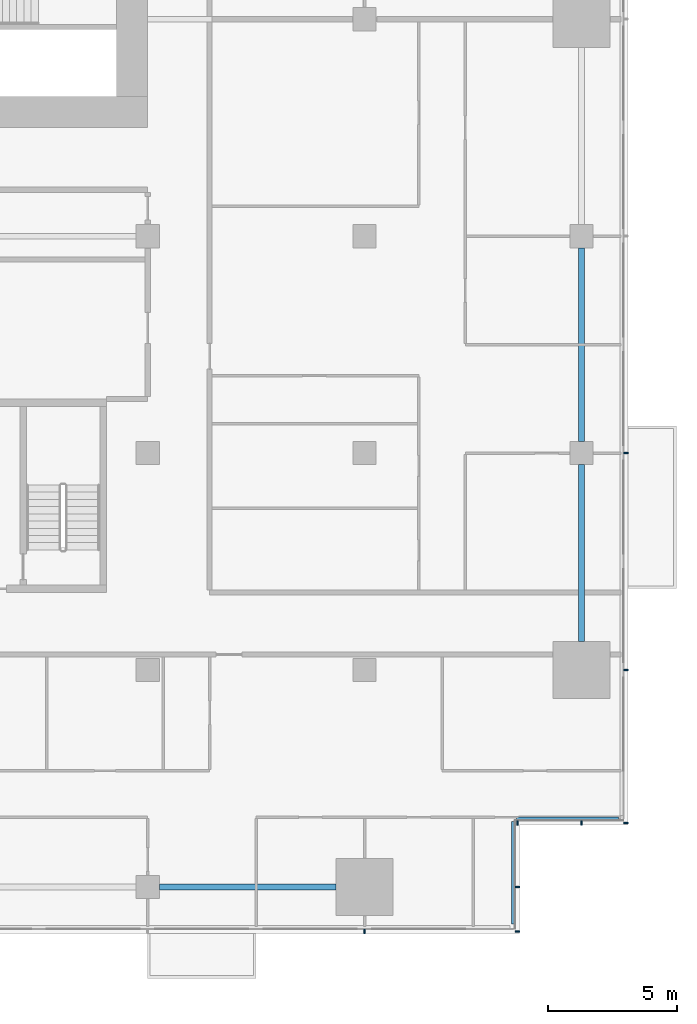
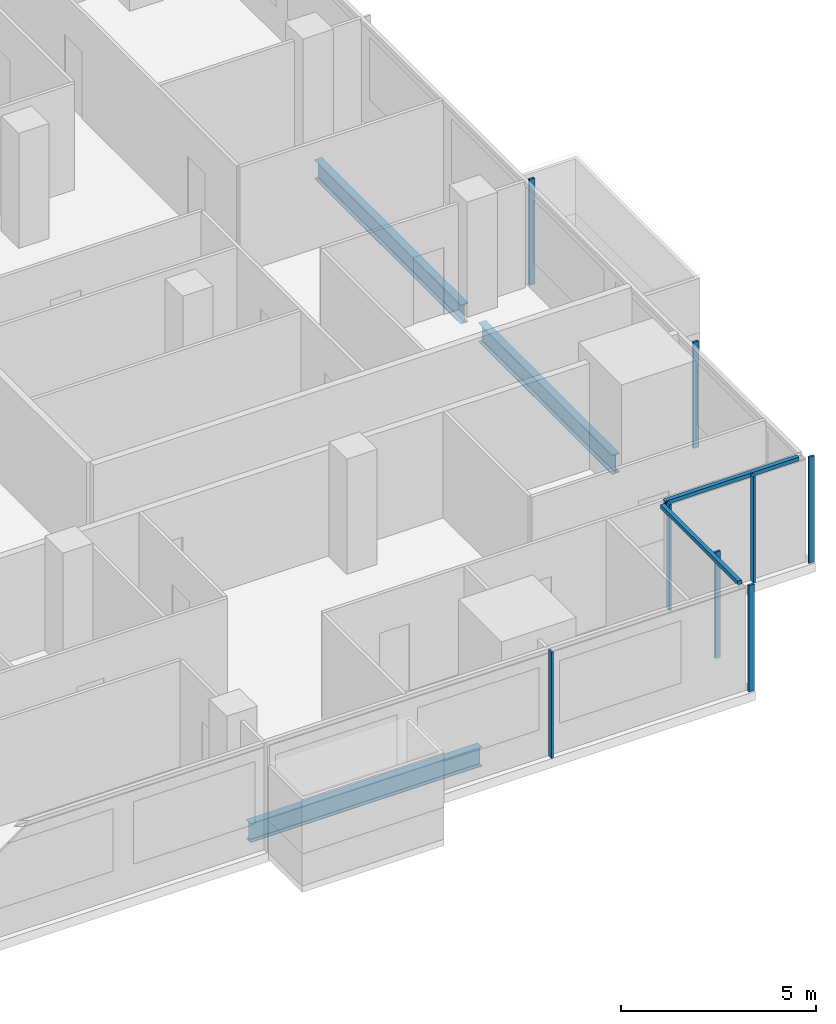
# One storey, part 11 of 26: 10 members, 3 beams, 4 elements without a shape of their own.
"""IFC4 building model written with IfcOpenShell, lengths in metres."""

from ifc_helpers import new_model, si_unit, direction, frame, origin, origin_2d, place, context, subcontext, project, spatial, rectangle, i_section, extrude, material, material_profile, profile_set, type_object, element, aggregate, save


model = new_model("IFC4")

# Units and contexts
model_context = context("Model", 3, precision=1e-05, world=origin(), true_north=direction((0.0, 1.0)))
body_context = subcontext(model_context, "Body", "Model", "MODEL_VIEW")
ifc_project = project(units=[si_unit("LENGTHUNIT", "METRE"), si_unit("AREAUNIT", "SQUARE_METRE"), si_unit("VOLUMEUNIT", "CUBIC_METRE"), si_unit("PLANEANGLEUNIT", "RADIAN"), si_unit("MASSUNIT", "GRAM", prefix="KILO")], contexts=[model_context])

# Site, building, storey
site_placement = place(None, origin())
site = spatial("IfcSite", under=ifc_project, at=site_placement, CompositionType="ELEMENT")
building_placement = place(site_placement, origin())
building = spatial("IfcBuilding", under=site, at=building_placement, Name="Saffron Gate Tower", CompositionType="ELEMENT")
storey_placement = place(building_placement, frame((0.0, 0.0, 62.39990234375)))
storey = spatial("IfcBuildingStorey", under=building, at=storey_placement, Name="L14", CompositionType="ELEMENT", Elevation=62.39990234375)

# Beams
ifc_material_1 = material(Name="Structural steel S355", Category="steel")
ifc_material_profile_1 = material_profile(ifc_material_1, i_section(OverallWidth=0.219970703125, OverallDepth=0.60009765625, WebThickness=0.011962890625, FlangeThickness=0.01904296875, FilletRadius=0.02392578125, at=origin_2d()))
ifc_profile_set_1 = profile_set([ifc_material_profile_1], Name="Structural steel S355")
beam_type = type_object("IfcBeamType", Name="B16 IPE 600", PredefinedType="SPANDREL", material=ifc_profile_set_1)
for number, where, z_axis, x_axis, name in (
    (1, (109.050048828125, 31.800048828125, -0.579833984375), (1.0, 0.0, 0.0), (0.0, 1.0, 0.0), "B16 SPANDREL BEAM"),
    (2, (125.39990234375, 41.300048828125, -0.579833984375), (0.0, 1.0, 0.0), (-1.0, 0.0, 0.0), "B16 SPANDREL BEAM"),
):
    element("IfcBeam", number, at=place(storey_placement, frame(where, z_axis=z_axis, x_axis=x_axis)), inside=storey, type_object=beam_type, Name=name, PredefinedType="SPANDREL", context=body_context, shape_type="SweptSolid", body=[
        extrude(i_section(OverallWidth=0.219970703125, OverallDepth=0.60009765625, WebThickness=0.011962890625, FlangeThickness=0.01904296875, FilletRadius=0.02392578125, at=origin_2d()), origin(), (0.0, 0.0, 1.0), 6.849853515625),
    ])
beam_placement = place(storey_placement, frame((125.39990234375, 49.050048828125, -0.579833984375), z_axis=(0.0, 1.0, 0.0), x_axis=(-1.0, 0.0, 0.0)))
element("IfcBeam", 3, at=beam_placement, inside=storey, type_object=beam_type, Name="B16 SPANDREL BEAM", PredefinedType="SPANDREL", context=body_context, shape_type="SweptSolid", body=[
    extrude(i_section(OverallWidth=0.219970703125, OverallDepth=0.60009765625, WebThickness=0.011962890625, FlangeThickness=0.01904296875, FilletRadius=0.02392578125, at=origin_2d()), origin(), (0.0, 0.0, 1.0), 7.5),
])

# Curtain wall, member
ifc_material_2 = material(Name="Aluminium, bronze anodised", Category="aluminium")
curtain_wall_type_1 = type_object("IfcCurtainWallType", Name="CWS1 curtain wall front facade", PredefinedType="NOTDEFINED", material=ifc_material_2)
curtain_wall_1_placement = place(storey_placement, origin())
curtain_wall_1 = element("IfcCurtainWall", 4, at=curtain_wall_1_placement, inside=storey, type_object=curtain_wall_type_1, Name="CWS1 run 1", PredefinedType="NOTDEFINED")
ifc_material_profile_2 = material_profile(ifc_material_2, rectangle(XDim=0.159912109375, YDim=0.06005859375, at=origin_2d()))
ifc_profile_set_2 = profile_set([ifc_material_profile_2], Name="Aluminium, bronze anodised")
member_type_1 = type_object("IfcMemberType", Name="CWS1 mullion 60x160", PredefinedType="MULLION", material=ifc_profile_set_2)
member_1_placement = place(storey_placement, frame((117.0, 30.080078125, 0.0), z_axis=(0.0, 0.0, 1.0), x_axis=(0.0, 1.0, 0.0)))
member_1 = element("IfcMember", 5, at=member_1_placement, type_object=member_type_1, Name="CWS1 mullion 9", PredefinedType="MULLION", context=body_context, shape_type="SweptSolid", body=[
    extrude(rectangle(XDim=0.159912109375, YDim=0.06005859375, at=origin_2d()), origin(), (0.0, 0.0, 1.0), 3.320068359375),
])
aggregate(curtain_wall_1, [member_1])

# Curtain wall, members
curtain_wall_type_2 = type_object("IfcCurtainWallType", Name="CWS2 curtain wall side facades", PredefinedType="NOTDEFINED", material=ifc_material_2)
curtain_wall_2_placement = place(storey_placement, origin())
curtain_wall_2 = element("IfcCurtainWall", 6, at=curtain_wall_2_placement, inside=storey, type_object=curtain_wall_type_2, Name="CWS2 run 4", PredefinedType="NOTDEFINED")
ifc_material_profile_3 = material_profile(ifc_material_2, rectangle(XDim=0.159912109375, YDim=0.06005859375, at=origin_2d()))
ifc_profile_set_3 = profile_set([ifc_material_profile_3], Name="Aluminium, bronze anodised")
member_type_2 = type_object("IfcMemberType", Name="CWS2 mullion 60x160", PredefinedType="MULLION", material=ifc_profile_set_3)
member_2_placement = place(storey_placement, frame((127.1201171875, 34.280029296875, 0.0), z_axis=(0.0, 0.0, 1.0), x_axis=(-1.0, 0.0, 0.0)))
member_2 = element("IfcMember", 7, at=member_2_placement, type_object=member_type_2, Name="CWS2 mullion 1", PredefinedType="MULLION", context=body_context, shape_type="SweptSolid", body=[
    extrude(rectangle(XDim=0.159912109375, YDim=0.06005859375, at=origin_2d()), origin(), (0.0, 0.0, 1.0), 3.320068359375),
])
member_3_placement = place(storey_placement, frame((127.1201171875, 40.199951171875, 0.0), z_axis=(0.0, 0.0, 1.0), x_axis=(-1.0, 0.0, 0.0)))
member_3 = element("IfcMember", 8, at=member_3_placement, type_object=member_type_2, Name="CWS2 mullion 2", PredefinedType="MULLION", context=body_context, shape_type="SweptSolid", body=[
    extrude(rectangle(XDim=0.159912109375, YDim=0.06005859375, at=origin_2d()), origin(), (0.0, 0.0, 1.0), 3.320068359375),
])
member_4_placement = place(storey_placement, frame((127.1201171875, 48.60009765625, 0.0), z_axis=(0.0, 0.0, 1.0), x_axis=(-1.0, 0.0, 0.0)))
member_4 = element("IfcMember", 9, at=member_4_placement, type_object=member_type_2, Name="CWS2 mullion 3", PredefinedType="MULLION", context=body_context, shape_type="SweptSolid", body=[
    extrude(rectangle(XDim=0.159912109375, YDim=0.06005859375, at=origin_2d()), origin(), (0.0, 0.0, 1.0), 3.320068359375),
])
aggregate(curtain_wall_2, [member_2, member_3, member_4])

# Curtain wall, member
curtain_wall_type_3 = type_object("IfcCurtainWallType", Name="CWS4 curtain wall corner returns", PredefinedType="NOTDEFINED", material=ifc_material_2)
curtain_wall_3_placement = place(storey_placement, origin())
curtain_wall_3 = element("IfcCurtainWall", 10, at=curtain_wall_3_placement, inside=storey, type_object=curtain_wall_type_3, Name="CWS4 run 2", PredefinedType="NOTDEFINED")
ifc_material_profile_4 = material_profile(ifc_material_2, rectangle(XDim=0.1201171875, YDim=0.1201171875, at=origin_2d()))
ifc_profile_set_4 = profile_set([ifc_material_profile_4], Name="Aluminium, bronze anodised")
member_type_3 = type_object("IfcMemberType", Name="CWS4 head transom", PredefinedType="USERDEFINED", material=ifc_profile_set_4)
member_5_placement = place(storey_placement, frame((122.751953125, 30.367919921875, 3.260009765625), z_axis=(0.0, 1.0, 0.0), x_axis=(-1.0, 0.0, 0.0)))
member_5 = element("IfcMember", 11, at=member_5_placement, type_object=member_type_3, Name="CWS4 head transom", ObjectType="TRANSOM", PredefinedType="USERDEFINED", context=body_context, shape_type="SweptSolid", body=[
    extrude(rectangle(XDim=0.1201171875, YDim=0.1201171875, at=origin_2d()), origin(), (0.0, 0.0, 1.0), 3.9599609375),
])

curtain_wall_4_placement = place(storey_placement, origin())
curtain_wall_4 = element("IfcCurtainWall", 12, at=curtain_wall_4_placement, inside=storey, type_object=curtain_wall_type_3, Name="CWS4 run 3", PredefinedType="NOTDEFINED")
member_6_placement = place(storey_placement, frame((122.8720703125, 34.447998046875, 3.260009765625), z_axis=(1.0, 0.0, 0.0), x_axis=(0.0, 1.0, 0.0)))
member_6 = element("IfcMember", 13, at=member_6_placement, type_object=member_type_3, Name="CWS4 head transom", ObjectType="TRANSOM", PredefinedType="USERDEFINED", context=body_context, shape_type="SweptSolid", body=[
    extrude(rectangle(XDim=0.1201171875, YDim=0.1201171875, at=origin_2d()), origin(), (0.0, 0.0, 1.0), 3.9599609375),
])

# Member
ifc_material_profile_5 = material_profile(ifc_material_2, rectangle(XDim=0.159912109375, YDim=0.06005859375, at=origin_2d()))
ifc_profile_set_5 = profile_set([ifc_material_profile_5], Name="Aluminium, bronze anodised")
member_type_4 = type_object("IfcMemberType", Name="CWS4 mullion 60x160", PredefinedType="MULLION", material=ifc_profile_set_5)
member_7_placement = place(storey_placement, frame((122.919921875, 30.080078125, 0.0), z_axis=(0.0, 0.0, 1.0), x_axis=(-1.0, 0.0, 0.0)))
member_7 = element("IfcMember", 14, at=member_7_placement, type_object=member_type_4, Name="CWS4 mullion 1", PredefinedType="MULLION", context=body_context, shape_type="SweptSolid", body=[
    extrude(rectangle(XDim=0.159912109375, YDim=0.06005859375, at=origin_2d()), origin(), (0.0, 0.0, 1.0), 3.320068359375),
])

member_8_placement = place(storey_placement, frame((122.919921875, 31.800048828125, 0.0), z_axis=(0.0, 0.0, 1.0), x_axis=(-1.0, 0.0, 0.0)))
member_8 = element("IfcMember", 15, at=member_8_placement, type_object=member_type_4, Name="CWS4 mullion 2", PredefinedType="MULLION", context=body_context, shape_type="SweptSolid", body=[
    extrude(rectangle(XDim=0.159912109375, YDim=0.06005859375, at=origin_2d()), origin(), (0.0, 0.0, 1.0), 3.320068359375),
])

aggregate(curtain_wall_3, [member_7, member_8, member_5])

member_9_placement = place(storey_placement, frame((122.919921875, 34.280029296875, 0.0), z_axis=(0.0, 0.0, 1.0), x_axis=(0.0, 1.0, 0.0)))
member_9 = element("IfcMember", 16, at=member_9_placement, type_object=member_type_4, Name="CWS4 mullion 1", PredefinedType="MULLION", context=body_context, shape_type="SweptSolid", body=[
    extrude(rectangle(XDim=0.159912109375, YDim=0.06005859375, at=origin_2d()), origin(), (0.0, 0.0, 1.0), 3.320068359375),
])

member_10_placement = place(storey_placement, frame((125.39990234375, 34.280029296875, 0.0), z_axis=(0.0, 0.0, 1.0), x_axis=(0.0, 1.0, 0.0)))
member_10 = element("IfcMember", 17, at=member_10_placement, type_object=member_type_4, Name="CWS4 mullion 2", PredefinedType="MULLION", context=body_context, shape_type="SweptSolid", body=[
    extrude(rectangle(XDim=0.159912109375, YDim=0.06005859375, at=origin_2d()), origin(), (0.0, 0.0, 1.0), 3.320068359375),
])

aggregate(curtain_wall_4, [member_9, member_10, member_6])

save(model, "model.ifc")
